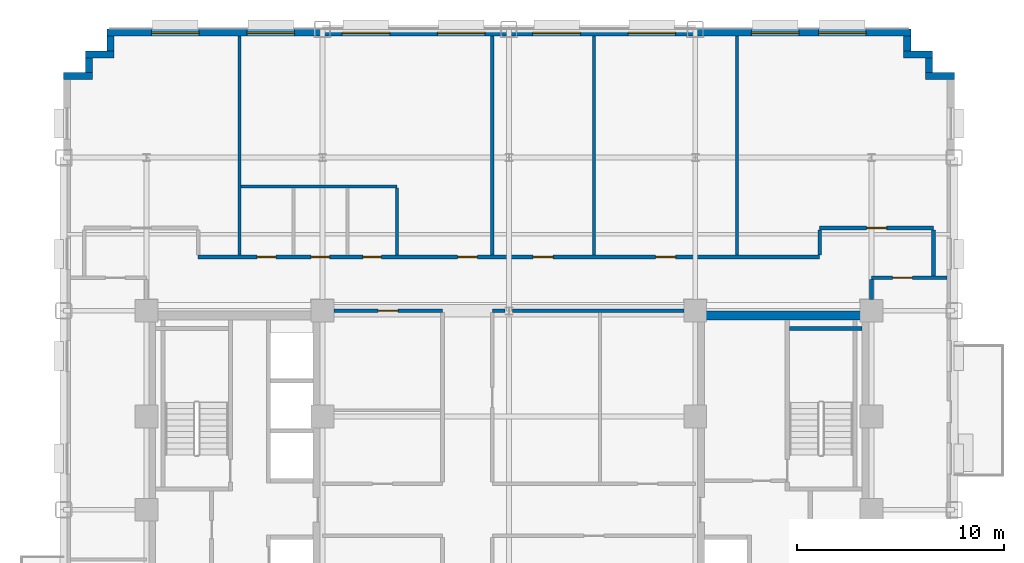
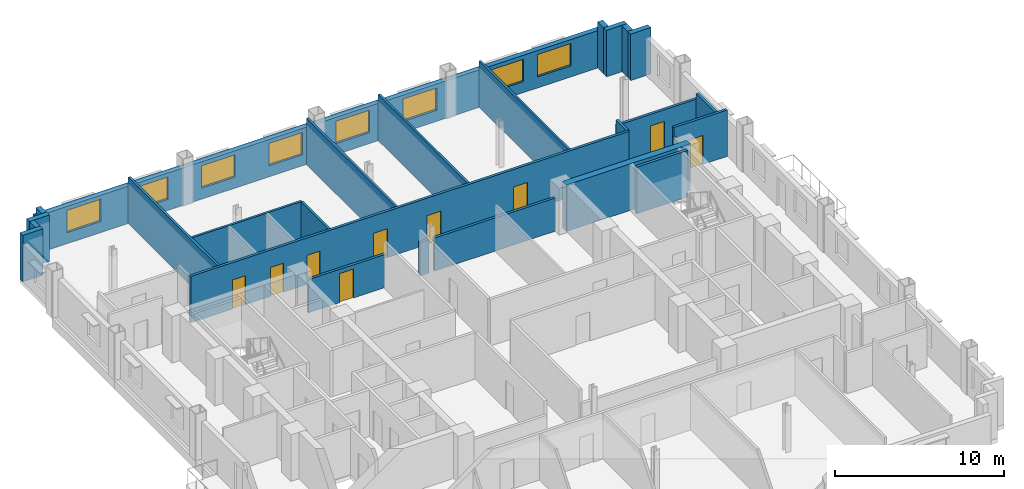
# One storey, part 9 of 14: 26 walls, 9 doors, 8 windows, 17 openings.
"""IFC4 building model written with IfcOpenShell, lengths in metres."""

from ifc_helpers import new_model, si_unit, direction, frame, frame_2d, origin, place, context, subcontext, project, spatial, rectangle, extrude, source, transform, mapped, material, layer, layer_set, type_object, type_shapes, element, fill, save


model = new_model("IFC4")

# Units and contexts
model_context = context("Model", 3, precision=1e-05, world=origin(), true_north=direction((0.0, 1.0)))
body_context = subcontext(model_context, "Body", "Model", "MODEL_VIEW")
ifc_project = project(units=[si_unit("LENGTHUNIT", "METRE"), si_unit("AREAUNIT", "SQUARE_METRE"), si_unit("VOLUMEUNIT", "CUBIC_METRE"), si_unit("PLANEANGLEUNIT", "RADIAN"), si_unit("MASSUNIT", "GRAM", prefix="KILO")], contexts=[model_context])

# Site, building, storey
site_placement = place(None, origin())
site = spatial("IfcSite", under=ifc_project, at=site_placement, CompositionType="ELEMENT")
building_placement = place(site_placement, origin())
building = spatial("IfcBuilding", under=site, at=building_placement, Name="Nuvemarco Arch Tower", CompositionType="ELEMENT")
storey_placement = place(building_placement, frame((0.0, 0.0, 75.050048828125)))
storey = spatial("IfcBuildingStorey", under=building, at=storey_placement, Name="L19", CompositionType="ELEMENT", Elevation=75.050048828125)

# Walls
ifc_material_1 = material(Name="Precast concrete C45/55", Category="concrete")
ifc_layer_1 = layer(ifc_material_1, 0.340087890625, Name="EW-LOW-340")
ifc_layer_set_1 = layer_set([ifc_layer_1], Name="Precast concrete C45/55")
wall_type_1 = type_object("IfcWallType", Name="EW-LOW-340", PredefinedType="STANDARD", material=ifc_layer_set_1)
wall_1_placement = place(storey_placement, frame((20.110107421875, 20.929931640625, 0.0), z_axis=(0.0, 0.0, 1.0), x_axis=(1.0, 0.0, 0.0)))
element("IfcWall", 1, at=wall_1_placement, inside=storey, type_object=wall_type_1, Name="L19 exterior precast facade wall 7", PredefinedType="STANDARD", context=body_context, shape_type="SweptSolid", body=[
    extrude(rectangle(XDim=1.389892578125, YDim=0.340087890625, at=frame_2d((0.69482421875, 0.0))), origin(), (0.0, 0.0, 1.0), 3.35986328125),
])
wall_2_placement = place(storey_placement, frame((20.280029296875, 21.095947265625, 0.0), z_axis=(0.0, 0.0, 1.0), x_axis=(0.0, 1.0, 0.0)))
element("IfcWall", 2, at=wall_2_placement, inside=storey, type_object=wall_type_1, Name="L19 exterior precast facade wall 8", PredefinedType="STANDARD", context=body_context, shape_type="SweptSolid", body=[
    extrude(rectangle(XDim=0.718017578125, YDim=0.340087890625, at=frame_2d((0.35888671875, 0.0))), origin(), (0.0, 0.0, 1.0), 3.35986328125),
])
wall_3_placement = place(storey_placement, frame((19.06005859375, 21.97998046875, 0.0), z_axis=(0.0, 0.0, 1.0), x_axis=(1.0, 0.0, 0.0)))
element("IfcWall", 3, at=wall_3_placement, inside=storey, type_object=wall_type_1, Name="L19 exterior precast facade wall 9", PredefinedType="STANDARD", context=body_context, shape_type="SweptSolid", body=[
    extrude(rectangle(XDim=1.389892578125, YDim=0.340087890625, at=frame_2d((0.69482421875, 0.0))), origin(), (0.0, 0.0, 1.0), 3.35986328125),
])
wall_4_placement = place(storey_placement, frame((19.22998046875, 22.14599609375, 0.0), z_axis=(0.0, 0.0, 1.0), x_axis=(0.0, 1.0, 0.0)))
element("IfcWall", 4, at=wall_4_placement, inside=storey, type_object=wall_type_1, Name="L19 exterior precast facade wall 10", PredefinedType="STANDARD", context=body_context, shape_type="SweptSolid", body=[
    extrude(rectangle(XDim=0.718017578125, YDim=0.340087890625, at=frame_2d((0.35888671875, 0.0))), origin(), (0.0, 0.0, 1.0), 3.35986328125),
])

# Wall, openings, windows
wall_5_placement = place(storey_placement, frame((-19.39990234375, 23.030029296875, 0.0), z_axis=(0.0, 0.0, 1.0), x_axis=(1.0, 0.0, 0.0)))
wall_5 = element("IfcWall", 5, at=wall_5_placement, inside=storey, type_object=wall_type_1, Name="L19 exterior precast facade wall 11", PredefinedType="STANDARD", context=body_context, shape_type="SweptSolid", body=[
    extrude(rectangle(XDim=38.7998046875, YDim=0.340087890625, at=frame_2d((19.39990234375, 0.0))), origin(), (0.0, 0.0, 1.0), 2.704833984375),
])
opening_1_placement = place(wall_5_placement, frame((2.14990234375, 0.0, 0.800048828125)))
opening_1 = element("IfcOpeningElement", 6, at=opening_1_placement, cuts=wall_5, Name="Opening WN-10", PredefinedType="OPENING", context=body_context, shape_type="SweptSolid", body=[
    extrude(rectangle(XDim=2.300048828125, YDim=1.6201171875, at=frame_2d((1.14990234375, 0.81005859375))), frame((0.0, 0.179931640625, 0.0), z_axis=(0.0, -1.0, 0.0), x_axis=(1.0, 0.0, 0.0)), (0.0, 0.0, 1.0), 0.360107421875),
])
opening_2_placement = place(wall_5_placement, frame((6.75, 0.0, 0.800048828125)))
opening_2 = element("IfcOpeningElement", 7, at=opening_2_placement, cuts=wall_5, Name="Opening WN-10", PredefinedType="OPENING", context=body_context, shape_type="SweptSolid", body=[
    extrude(rectangle(XDim=2.300048828125, YDim=1.6201171875, at=frame_2d((1.14990234375, 0.81005859375))), frame((0.0, 0.179931640625, 0.0), z_axis=(0.0, -1.0, 0.0), x_axis=(1.0, 0.0, 0.0)), (0.0, 0.0, 1.0), 0.360107421875),
])
opening_3_placement = place(wall_5_placement, frame((11.35009765625, 0.0, 0.800048828125)))
opening_3 = element("IfcOpeningElement", 8, at=opening_3_placement, cuts=wall_5, Name="Opening WN-10", PredefinedType="OPENING", context=body_context, shape_type="SweptSolid", body=[
    extrude(rectangle(XDim=2.300048828125, YDim=1.6201171875, at=frame_2d((1.14990234375, 0.81005859375))), frame((0.0, 0.179931640625, 0.0), z_axis=(0.0, -1.0, 0.0), x_axis=(1.0, 0.0, 0.0)), (0.0, 0.0, 1.0), 0.360107421875),
])
opening_4_placement = place(wall_5_placement, frame((15.949951171875, 0.0, 0.800048828125)))
opening_4 = element("IfcOpeningElement", 9, at=opening_4_placement, cuts=wall_5, Name="Opening WN-10", PredefinedType="OPENING", context=body_context, shape_type="SweptSolid", body=[
    extrude(rectangle(XDim=2.300048828125, YDim=1.6201171875, at=frame_2d((1.14990234375, 0.81005859375))), frame((0.0, 0.179931640625, 0.0), z_axis=(0.0, -1.0, 0.0), x_axis=(1.0, 0.0, 0.0)), (0.0, 0.0, 1.0), 0.360107421875),
])
opening_5_placement = place(wall_5_placement, frame((20.550048828125, 0.0, 0.800048828125)))
opening_5 = element("IfcOpeningElement", 10, at=opening_5_placement, cuts=wall_5, Name="Opening WN-10", PredefinedType="OPENING", context=body_context, shape_type="SweptSolid", body=[
    extrude(rectangle(XDim=2.300048828125, YDim=1.6201171875, at=frame_2d((1.14990234375, 0.81005859375))), frame((0.0, 0.179931640625, 0.0), z_axis=(0.0, -1.0, 0.0), x_axis=(1.0, 0.0, 0.0)), (0.0, 0.0, 1.0), 0.360107421875),
])
opening_6_placement = place(wall_5_placement, frame((25.14990234375, 0.0, 0.800048828125)))
opening_6 = element("IfcOpeningElement", 11, at=opening_6_placement, cuts=wall_5, Name="Opening WN-10", PredefinedType="OPENING", context=body_context, shape_type="SweptSolid", body=[
    extrude(rectangle(XDim=2.300048828125, YDim=1.6201171875, at=frame_2d((1.14990234375, 0.81005859375))), frame((0.0, 0.179931640625, 0.0), z_axis=(0.0, -1.0, 0.0), x_axis=(1.0, 0.0, 0.0)), (0.0, 0.0, 1.0), 0.360107421875),
])
opening_7_placement = place(wall_5_placement, frame((31.10009765625, 0.0, 0.800048828125)))
opening_7 = element("IfcOpeningElement", 12, at=opening_7_placement, cuts=wall_5, Name="Opening WN-10", PredefinedType="OPENING", context=body_context, shape_type="SweptSolid", body=[
    extrude(rectangle(XDim=2.300048828125, YDim=1.6201171875, at=frame_2d((1.14990234375, 0.81005859375))), frame((0.0, 0.179931640625, 0.0), z_axis=(0.0, -1.0, 0.0), x_axis=(1.0, 0.0, 0.0)), (0.0, 0.0, 1.0), 0.360107421875),
])
opening_8_placement = place(wall_5_placement, frame((34.35009765625, 0.0, 0.800048828125)))
opening_8 = element("IfcOpeningElement", 13, at=opening_8_placement, cuts=wall_5, Name="Opening WN-10", PredefinedType="OPENING", context=body_context, shape_type="SweptSolid", body=[
    extrude(rectangle(XDim=2.300048828125, YDim=1.6201171875, at=frame_2d((1.14990234375, 0.81005859375))), frame((0.0, 0.179931640625, 0.0), z_axis=(0.0, -1.0, 0.0), x_axis=(1.0, 0.0, 0.0)), (0.0, 0.0, 1.0), 0.360107421875),
])
ifc_material_2 = material(Name="Insulated solar-control glass", Category="glass")
window_type = type_object("IfcWindowType", Name="WN-STEP-2300x1700", PartitioningType="DOUBLE_PANEL_VERTICAL", PredefinedType="WINDOW", material=ifc_material_2)
shared_shape_1 = source(origin(), body_context, "Body", "SweptSolid", [
    extrude(rectangle(XDim=2.300048828125, YDim=1.6201171875, at=frame_2d((1.14990234375, 0.81005859375))), frame((0.0, 0.030029296875, 0.0), z_axis=(0.0, -1.0, 0.0), x_axis=(1.0, 0.0, 0.0)), (0.0, 0.0, 1.0), 0.06005859375),
])
type_shapes(window_type, [shared_shape_1])
window_1_placement = place(opening_1_placement, origin())
window_1 = element("IfcWindow", 14, at=window_1_placement, inside=storey, type_object=window_type, Name="L19 punched facade window 1", OverallHeight=1.6201171875, OverallWidth=2.300048828125, PartitioningType="SINGLE_PANEL", PredefinedType="WINDOW", context=body_context, shape_type="MappedRepresentation", body=[
    mapped(shared_shape_1, transform((0.0, 0.0, 0.0), scale=1.0)),
])
fill(opening_1, window_1)
window_2_placement = place(opening_2_placement, origin())
window_2 = element("IfcWindow", 15, at=window_2_placement, inside=storey, type_object=window_type, Name="L19 punched facade window 2", OverallHeight=1.6201171875, OverallWidth=2.300048828125, PartitioningType="SINGLE_PANEL", PredefinedType="WINDOW", context=body_context, shape_type="MappedRepresentation", body=[
    mapped(shared_shape_1, transform((0.0, 0.0, 0.0), scale=1.0)),
])
fill(opening_2, window_2)
window_3_placement = place(opening_3_placement, origin())
window_3 = element("IfcWindow", 16, at=window_3_placement, inside=storey, type_object=window_type, Name="L19 punched facade window 3", OverallHeight=1.6201171875, OverallWidth=2.300048828125, PartitioningType="SINGLE_PANEL", PredefinedType="WINDOW", context=body_context, shape_type="MappedRepresentation", body=[
    mapped(shared_shape_1, transform((0.0, 0.0, 0.0), scale=1.0)),
])
fill(opening_3, window_3)
window_4_placement = place(opening_4_placement, origin())
window_4 = element("IfcWindow", 17, at=window_4_placement, inside=storey, type_object=window_type, Name="L19 punched facade window 4", OverallHeight=1.6201171875, OverallWidth=2.300048828125, PartitioningType="SINGLE_PANEL", PredefinedType="WINDOW", context=body_context, shape_type="MappedRepresentation", body=[
    mapped(shared_shape_1, transform((0.0, 0.0, 0.0), scale=1.0)),
])
fill(opening_4, window_4)
window_5_placement = place(opening_5_placement, origin())
window_5 = element("IfcWindow", 18, at=window_5_placement, inside=storey, type_object=window_type, Name="L19 punched facade window 5", OverallHeight=1.6201171875, OverallWidth=2.300048828125, PartitioningType="SINGLE_PANEL", PredefinedType="WINDOW", context=body_context, shape_type="MappedRepresentation", body=[
    mapped(shared_shape_1, transform((0.0, 0.0, 0.0), scale=1.0)),
])
fill(opening_5, window_5)
window_6_placement = place(opening_6_placement, origin())
window_6 = element("IfcWindow", 19, at=window_6_placement, inside=storey, type_object=window_type, Name="L19 punched facade window 6", OverallHeight=1.6201171875, OverallWidth=2.300048828125, PartitioningType="SINGLE_PANEL", PredefinedType="WINDOW", context=body_context, shape_type="MappedRepresentation", body=[
    mapped(shared_shape_1, transform((0.0, 0.0, 0.0), scale=1.0)),
])
fill(opening_6, window_6)
window_7_placement = place(opening_7_placement, origin())
window_7 = element("IfcWindow", 20, at=window_7_placement, inside=storey, type_object=window_type, Name="L19 punched facade window 7", OverallHeight=1.6201171875, OverallWidth=2.300048828125, PartitioningType="SINGLE_PANEL", PredefinedType="WINDOW", context=body_context, shape_type="MappedRepresentation", body=[
    mapped(shared_shape_1, transform((0.0, 0.0, 0.0), scale=1.0)),
])
fill(opening_7, window_7)
window_8_placement = place(opening_8_placement, origin())
window_8 = element("IfcWindow", 21, at=window_8_placement, inside=storey, type_object=window_type, Name="L19 punched facade window 8", OverallHeight=1.6201171875, OverallWidth=2.300048828125, PartitioningType="SINGLE_PANEL", PredefinedType="WINDOW", context=body_context, shape_type="MappedRepresentation", body=[
    mapped(shared_shape_1, transform((0.0, 0.0, 0.0), scale=1.0)),
])
fill(opening_8, window_8)

# Walls
wall_6_placement = place(storey_placement, frame((-19.22998046875, 22.14599609375, 0.0), z_axis=(0.0, 0.0, 1.0), x_axis=(0.0, 1.0, 0.0)))
element("IfcWall", 22, at=wall_6_placement, inside=storey, type_object=wall_type_1, Name="L19 exterior precast facade wall 12", PredefinedType="STANDARD", context=body_context, shape_type="SweptSolid", body=[
    extrude(rectangle(XDim=0.718017578125, YDim=0.340087890625, at=frame_2d((0.35888671875, 0.0))), origin(), (0.0, 0.0, 1.0), 3.35986328125),
])
wall_7_placement = place(storey_placement, frame((-20.449951171875, 21.97998046875, 0.0), z_axis=(0.0, 0.0, 1.0), x_axis=(1.0, 0.0, 0.0)))
element("IfcWall", 23, at=wall_7_placement, inside=storey, type_object=wall_type_1, Name="L19 exterior precast facade wall 13", PredefinedType="STANDARD", context=body_context, shape_type="SweptSolid", body=[
    extrude(rectangle(XDim=1.389892578125, YDim=0.340087890625, at=frame_2d((0.69482421875, 0.0))), origin(), (0.0, 0.0, 1.0), 3.35986328125),
])
wall_8_placement = place(storey_placement, frame((-20.280029296875, 21.095947265625, 0.0), z_axis=(0.0, 0.0, 1.0), x_axis=(0.0, 1.0, 0.0)))
element("IfcWall", 24, at=wall_8_placement, inside=storey, type_object=wall_type_1, Name="L19 exterior precast facade wall 14", PredefinedType="STANDARD", context=body_context, shape_type="SweptSolid", body=[
    extrude(rectangle(XDim=0.718017578125, YDim=0.340087890625, at=frame_2d((0.35888671875, 0.0))), origin(), (0.0, 0.0, 1.0), 3.35986328125),
])
wall_9_placement = place(storey_placement, frame((-21.5, 20.929931640625, 0.0), z_axis=(0.0, 0.0, 1.0), x_axis=(1.0, 0.0, 0.0)))
element("IfcWall", 25, at=wall_9_placement, inside=storey, type_object=wall_type_1, Name="L19 exterior precast facade wall 15", PredefinedType="STANDARD", context=body_context, shape_type="SweptSolid", body=[
    extrude(rectangle(XDim=1.389892578125, YDim=0.340087890625, at=frame_2d((0.69482421875, 0.0))), origin(), (0.0, 0.0, 1.0), 3.35986328125),
])
ifc_material_3 = material(Name="Concrete C60/75", Category="concrete")
ifc_layer_2 = layer(ifc_material_3, 0.449951171875, Name="WL-CORE-450")
ifc_layer_set_2 = layer_set([ifc_layer_2], Name="Concrete C60/75")
wall_type_2 = type_object("IfcWallType", Name="WL-CORE-450", PredefinedType="SHEAR", material=ifc_layer_set_2)
wall_10_placement = place(storey_placement, frame((9.0, 9.375, 0.0), z_axis=(0.0, 0.0, 1.0), x_axis=(1.0, 0.0, 0.0)))
element("IfcWall", 26, at=wall_10_placement, inside=storey, type_object=wall_type_2, Name="L19 E-core shear wall N", PredefinedType="SHEAR", context=body_context, shape_type="SweptSolid", body=[
    extrude(rectangle(XDim=8.5, YDim=0.449951171875, at=frame_2d((4.25, 0.0))), origin(), (0.0, 0.0, 1.0), 3.369873046875),
])

# Wall, opening, door
ifc_material_4 = material(Name="Fire-rated gypsum drywall partition")
ifc_layer_3 = layer(ifc_material_4, 0.179931640625, Name="WL-CORR-180")
ifc_layer_set_3 = layer_set([ifc_layer_3], Name="Fire-rated gypsum drywall partition")
wall_type_3 = type_object("IfcWallType", Name="WL-CORR-180", PredefinedType="PARTITIONING", material=ifc_layer_set_3)
wall_11_placement = place(storey_placement, frame((-8.4541015625, 9.60009765625, 0.0), z_axis=(0.0, 0.0, 1.0), x_axis=(1.0, 0.0, 0.0)))
wall_11 = element("IfcWall", 27, at=wall_11_placement, inside=storey, type_object=wall_type_3, Name="L19 interior wall IW-L19-015", PredefinedType="PARTITIONING", context=body_context, shape_type="SweptSolid", body=[
    extrude(rectangle(XDim=5.254150390625, YDim=0.179931640625, at=frame_2d((2.626953125, 0.0))), origin(), (0.0, 0.0, 1.0), 2.405029296875),
])
opening_9_placement = place(wall_11_placement, frame((2.14697265625, 0.0, 0.0)))
opening_9 = element("IfcOpeningElement", 28, at=opening_9_placement, cuts=wall_11, Name="Opening FD-5", PredefinedType="OPENING", context=body_context, shape_type="SweptSolid", body=[
    extrude(rectangle(XDim=0.9599609375, YDim=2.10009765625, at=frame_2d((0.47998046875, 1.050048828125))), frame((0.0, 0.099853515625, 0.0), z_axis=(0.0, -1.0, 0.0), x_axis=(1.0, 0.0, 0.0)), (0.0, 0.0, 1.0), 0.199951171875),
])
ifc_material_5 = material(Name="Timber fire door", Category="wood")
door_type_1 = type_object("IfcDoorType", Name="DR-CORR-FD", OperationType="NOTDEFINED", PredefinedType="DOOR", material=ifc_material_5)
shared_shape_2 = source(origin(), body_context, "Body", "SweptSolid", [
    extrude(rectangle(XDim=0.9599609375, YDim=2.10009765625, at=frame_2d((0.47998046875, 1.050048828125))), frame((0.0, 0.02490234375, 0.0), z_axis=(0.0, -1.0, 0.0), x_axis=(1.0, 0.0, 0.0)), (0.0, 0.0, 1.0), 0.050048828125),
])
type_shapes(door_type_1, [shared_shape_2])
door_1_placement = place(opening_9_placement, origin())
door_1 = element("IfcDoor", 29, at=door_1_placement, inside=storey, type_object=door_type_1, Name="L19 door DR-L19-C_NW2", OperationType="SINGLE_SWING_LEFT", OverallHeight=2.10009765625, OverallWidth=0.9599609375, PredefinedType="DOOR", context=body_context, shape_type="MappedRepresentation", body=[
    mapped(shared_shape_2, transform((0.0, 0.0, 0.0), scale=1.0)),
])
fill(opening_9, door_1)

# Walls
wall_12_placement = place(storey_placement, frame((-0.800048828125, 9.60009765625, 0.0), z_axis=(0.0, 0.0, 1.0), x_axis=(1.0, 0.0, 0.0)))
element("IfcWall", 30, at=wall_12_placement, inside=storey, type_object=wall_type_3, Name="L19 interior wall IW-L19-016", PredefinedType="PARTITIONING", context=body_context, shape_type="SweptSolid", body=[
    extrude(rectangle(XDim=0.6240234375, YDim=0.179931640625, at=frame_2d((0.31201171875, 0.0))), origin(), (0.0, 0.0, 1.0), 2.405029296875),
])
wall_13_placement = place(storey_placement, frame((0.176025390625, 9.60009765625, 0.0), z_axis=(0.0, 0.0, 1.0), x_axis=(1.0, 0.0, 0.0)))
element("IfcWall", 31, at=wall_13_placement, inside=storey, type_object=wall_type_3, Name="L19 interior wall IW-L19-017", PredefinedType="PARTITIONING", context=body_context, shape_type="SweptSolid", body=[
    extrude(rectangle(XDim=8.278076171875, YDim=0.179931640625, at=frame_2d((4.13916015625, 0.0))), origin(), (0.0, 0.0, 1.0), 2.405029296875),
])

# Wall, opening, door
wall_14_placement = place(storey_placement, frame((17.5, 11.199951171875, 0.0), z_axis=(0.0, 0.0, 1.0), x_axis=(1.0, 0.0, 0.0)))
wall_14 = element("IfcWall", 32, at=wall_14_placement, inside=storey, type_object=wall_type_3, Name="L19 interior wall IW-L19-019", PredefinedType="PARTITIONING", context=body_context, shape_type="SweptSolid", body=[
    extrude(rectangle(XDim=3.659912109375, YDim=0.179931640625, at=frame_2d((1.830078125, 0.0))), origin(), (0.0, 0.0, 1.0), 3.35986328125),
])
opening_10_placement = place(wall_14_placement, frame((1.02001953125, 0.0, 0.0)))
opening_10 = element("IfcOpeningElement", 33, at=opening_10_placement, cuts=wall_14, Name="Opening FD-5", PredefinedType="OPENING", context=body_context, shape_type="SweptSolid", body=[
    extrude(rectangle(XDim=0.9599609375, YDim=2.10009765625, at=frame_2d((0.47998046875, 1.050048828125))), frame((0.0, 0.099853515625, 0.0), z_axis=(0.0, -1.0, 0.0), x_axis=(1.0, 0.0, 0.0)), (0.0, 0.0, 1.0), 0.199951171875),
])
door_2_placement = place(opening_10_placement, origin())
door_2 = element("IfcDoor", 34, at=door_2_placement, inside=storey, type_object=door_type_1, Name="L19 door DR-L19-E_1", OperationType="SINGLE_SWING_LEFT", OverallHeight=2.10009765625, OverallWidth=0.9599609375, PredefinedType="DOOR", context=body_context, shape_type="MappedRepresentation", body=[
    mapped(shared_shape_2, transform((0.0, 0.0, 0.0), scale=1.0)),
])
fill(opening_10, door_2)

# Wall, openings, doors
wall_15_placement = place(storey_placement, frame((-15.0, 12.199951171875, 0.0), z_axis=(0.0, 0.0, 1.0), x_axis=(1.0, 0.0, 0.0)))
wall_15 = element("IfcWall", 35, at=wall_15_placement, inside=storey, type_object=wall_type_3, Name="L19 interior wall IW-L19-020", PredefinedType="PARTITIONING", context=body_context, shape_type="SweptSolid", body=[
    extrude(rectangle(XDim=30.0, YDim=0.179931640625, at=frame_2d((15.0, 0.0))), origin(), (0.0, 0.0, 1.0), 3.35986328125),
])
opening_11_placement = place(wall_15_placement, frame((22.0849609375, 0.0, 0.0)))
opening_11 = element("IfcOpeningElement", 36, at=opening_11_placement, cuts=wall_15, Name="Opening FD-5", PredefinedType="OPENING", context=body_context, shape_type="SweptSolid", body=[
    extrude(rectangle(XDim=0.9599609375, YDim=2.10009765625, at=frame_2d((0.47998046875, 1.050048828125))), frame((0.0, 0.099853515625, 0.0), z_axis=(0.0, -1.0, 0.0), x_axis=(1.0, 0.0, 0.0)), (0.0, 0.0, 1.0), 0.199951171875),
])
opening_12_placement = place(wall_15_placement, frame((16.175048828125, 0.0, 0.0)))
opening_12 = element("IfcOpeningElement", 37, at=opening_12_placement, cuts=wall_15, Name="Opening FD-5", PredefinedType="OPENING", context=body_context, shape_type="SweptSolid", body=[
    extrude(rectangle(XDim=0.9599609375, YDim=2.10009765625, at=frame_2d((0.47998046875, 1.050048828125))), frame((0.0, 0.099853515625, 0.0), z_axis=(0.0, -1.0, 0.0), x_axis=(1.0, 0.0, 0.0)), (0.0, 0.0, 1.0), 0.199951171875),
])
opening_13_placement = place(wall_15_placement, frame((5.449951171875, 0.0, 0.0)))
opening_13 = element("IfcOpeningElement", 38, at=opening_13_placement, cuts=wall_15, Name="Opening ID-3", PredefinedType="OPENING", context=body_context, shape_type="SweptSolid", body=[
    extrude(rectangle(XDim=0.89990234375, YDim=2.10009765625, at=frame_2d((0.449951171875, 1.050048828125))), frame((0.0, 0.099853515625, 0.0), z_axis=(0.0, -1.0, 0.0), x_axis=(1.0, 0.0, 0.0)), (0.0, 0.0, 1.0), 0.199951171875),
])
opening_14_placement = place(wall_15_placement, frame((2.85009765625, 0.0, 0.0)))
opening_14 = element("IfcOpeningElement", 39, at=opening_14_placement, cuts=wall_15, Name="Opening ID-3", PredefinedType="OPENING", context=body_context, shape_type="SweptSolid", body=[
    extrude(rectangle(XDim=0.89990234375, YDim=2.10009765625, at=frame_2d((0.449951171875, 1.050048828125))), frame((0.0, 0.099853515625, 0.0), z_axis=(0.0, -1.0, 0.0), x_axis=(1.0, 0.0, 0.0)), (0.0, 0.0, 1.0), 0.199951171875),
])
opening_15_placement = place(wall_15_placement, frame((12.52001953125, 0.0, 0.0)))
opening_15 = element("IfcOpeningElement", 40, at=opening_15_placement, cuts=wall_15, Name="Opening FD-5", PredefinedType="OPENING", context=body_context, shape_type="SweptSolid", body=[
    extrude(rectangle(XDim=0.9599609375, YDim=2.10009765625, at=frame_2d((0.47998046875, 1.050048828125))), frame((0.0, 0.099853515625, 0.0), z_axis=(0.0, -1.0, 0.0), x_axis=(1.0, 0.0, 0.0)), (0.0, 0.0, 1.0), 0.199951171875),
])
opening_16_placement = place(wall_15_placement, frame((7.949951171875, 0.0, 0.0)))
opening_16 = element("IfcOpeningElement", 41, at=opening_16_placement, cuts=wall_15, Name="Opening ID-3", PredefinedType="OPENING", context=body_context, shape_type="SweptSolid", body=[
    extrude(rectangle(XDim=0.89990234375, YDim=2.10009765625, at=frame_2d((0.449951171875, 1.050048828125))), frame((0.0, 0.099853515625, 0.0), z_axis=(0.0, -1.0, 0.0), x_axis=(1.0, 0.0, 0.0)), (0.0, 0.0, 1.0), 0.199951171875),
])
door_3_placement = place(opening_11_placement, origin())
door_3 = element("IfcDoor", 42, at=door_3_placement, inside=storey, type_object=door_type_1, Name="L19 door DR-L19-N_4", OperationType="SINGLE_SWING_LEFT", OverallHeight=2.10009765625, OverallWidth=0.9599609375, PredefinedType="DOOR", context=body_context, shape_type="MappedRepresentation", body=[
    mapped(shared_shape_2, transform((0.0, 0.0, 0.0), scale=1.0)),
])
fill(opening_11, door_3)
door_4_placement = place(opening_12_placement, origin())
door_4 = element("IfcDoor", 43, at=door_4_placement, inside=storey, type_object=door_type_1, Name="L19 door DR-L19-N_3", OperationType="SINGLE_SWING_RIGHT", OverallHeight=2.10009765625, OverallWidth=0.9599609375, PredefinedType="DOOR", context=body_context, shape_type="MappedRepresentation", body=[
    mapped(shared_shape_2, transform((0.0, 0.0, 0.0), scale=1.0)),
])
fill(opening_12, door_4)
door_5_placement = place(opening_15_placement, origin())
door_5 = element("IfcDoor", 44, at=door_5_placement, inside=storey, type_object=door_type_1, Name="L19 door DR-L19-N_2", OperationType="SINGLE_SWING_LEFT", OverallHeight=2.10009765625, OverallWidth=0.9599609375, PredefinedType="DOOR", context=body_context, shape_type="MappedRepresentation", body=[
    mapped(shared_shape_2, transform((0.0, 0.0, 0.0), scale=1.0)),
])
fill(opening_15, door_5)
ifc_material_6 = material(Name="Veneered oak timber fire door", Category="wood")
door_type_2 = type_object("IfcDoorType", Name="DR-WC-ACC", OperationType="NOTDEFINED", PredefinedType="DOOR", material=ifc_material_6)
shared_shape_3 = source(origin(), body_context, "Body", "SweptSolid", [
    extrude(rectangle(XDim=0.89990234375, YDim=2.10009765625, at=frame_2d((0.449951171875, 1.050048828125))), frame((0.0, 0.02490234375, 0.0), z_axis=(0.0, -1.0, 0.0), x_axis=(1.0, 0.0, 0.0)), (0.0, 0.0, 1.0), 0.050048828125),
])
type_shapes(door_type_2, [shared_shape_3])
door_6_placement = place(opening_13_placement, origin())
door_6 = element("IfcDoor", 45, at=door_6_placement, inside=storey, type_object=door_type_2, Name="L19 door DR-L19-WC_F", OperationType="SINGLE_SWING_LEFT", OverallHeight=2.10009765625, OverallWidth=0.89990234375, PredefinedType="DOOR", context=body_context, shape_type="MappedRepresentation", body=[
    mapped(shared_shape_3, transform((0.0, 0.0, 0.0), scale=1.0)),
])
fill(opening_13, door_6)
door_7_placement = place(opening_14_placement, origin())
door_7 = element("IfcDoor", 46, at=door_7_placement, inside=storey, type_object=door_type_2, Name="L19 door DR-L19-WC_M", OperationType="SINGLE_SWING_RIGHT", OverallHeight=2.10009765625, OverallWidth=0.89990234375, PredefinedType="DOOR", context=body_context, shape_type="MappedRepresentation", body=[
    mapped(shared_shape_3, transform((0.0, 0.0, 0.0), scale=1.0)),
])
fill(opening_14, door_7)
door_8_placement = place(opening_16_placement, origin())
door_8 = element("IfcDoor", 47, at=door_8_placement, inside=storey, type_object=door_type_2, Name="L19 door DR-L19-WC_ACC", OperationType="SINGLE_SWING_LEFT", OverallHeight=2.10009765625, OverallWidth=0.89990234375, PredefinedType="DOOR", context=body_context, shape_type="MappedRepresentation", body=[
    mapped(shared_shape_3, transform((0.0, 0.0, 0.0), scale=1.0)),
])
fill(opening_16, door_8)

# Wall, opening, door
wall_16_placement = place(storey_placement, frame((15.0, 13.60009765625, 0.0), z_axis=(0.0, 0.0, 1.0), x_axis=(1.0, 0.0, 0.0)))
wall_16 = element("IfcWall", 48, at=wall_16_placement, inside=storey, type_object=wall_type_3, Name="L19 interior wall IW-L19-022", PredefinedType="PARTITIONING", context=body_context, shape_type="SweptSolid", body=[
    extrude(rectangle(XDim=5.5, YDim=0.179931640625, at=frame_2d((2.75, 0.0))), origin(), (0.0, 0.0, 1.0), 2.94189453125),
])
opening_17_placement = place(wall_16_placement, frame((2.27001953125, 0.0, 0.0)))
opening_17 = element("IfcOpeningElement", 49, at=opening_17_placement, cuts=wall_16, Name="Opening FD-5", PredefinedType="OPENING", context=body_context, shape_type="SweptSolid", body=[
    extrude(rectangle(XDim=0.9599609375, YDim=2.10009765625, at=frame_2d((0.47998046875, 1.050048828125))), frame((0.0, 0.099853515625, 0.0), z_axis=(0.0, -1.0, 0.0), x_axis=(1.0, 0.0, 0.0)), (0.0, 0.0, 1.0), 0.199951171875),
])
door_9_placement = place(opening_17_placement, origin())
door_9 = element("IfcDoor", 50, at=door_9_placement, inside=storey, type_object=door_type_1, Name="L19 door DR-L19-N_5", OperationType="SINGLE_SWING_LEFT", OverallHeight=2.10009765625, OverallWidth=0.9599609375, PredefinedType="DOOR", context=body_context, shape_type="MappedRepresentation", body=[
    mapped(shared_shape_2, transform((0.0, 0.0, 0.0), scale=1.0)),
])
fill(opening_17, door_9)

# Walls
wall_17_placement = place(storey_placement, frame((15.0, 12.285888671875, 0.0), z_axis=(0.0, 0.0, 1.0), x_axis=(0.0, 1.0, 0.0)))
element("IfcWall", 51, at=wall_17_placement, inside=storey, type_object=wall_type_3, Name="L19 interior wall IW-L19-049", PredefinedType="PARTITIONING", context=body_context, shape_type="SweptSolid", body=[
    extrude(rectangle(XDim=1.22802734375, YDim=0.179931640625, at=frame_2d((0.614013671875, 0.0))), origin(), (0.0, 0.0, 1.0), 3.35986328125),
])
wall_18_placement = place(storey_placement, frame((17.5, 10.14599609375, 0.0), z_axis=(0.0, 0.0, 1.0), x_axis=(0.0, 1.0, 0.0)))
element("IfcWall", 52, at=wall_18_placement, inside=storey, type_object=wall_type_3, Name="L19 interior wall IW-L19-052", PredefinedType="PARTITIONING", context=body_context, shape_type="SweptSolid", body=[
    extrude(rectangle(XDim=0.968017578125, YDim=0.179931640625, at=frame_2d((0.48388671875, 0.0))), origin(), (0.0, 0.0, 1.0), 2.738037109375),
])
wall_19_placement = place(storey_placement, frame((20.5, 11.285888671875, 0.0), z_axis=(0.0, 0.0, 1.0), x_axis=(0.0, 1.0, 0.0)))
element("IfcWall", 53, at=wall_19_placement, inside=storey, type_object=wall_type_3, Name="L19 interior wall IW-L19-054", PredefinedType="PARTITIONING", context=body_context, shape_type="SweptSolid", body=[
    extrude(rectangle(XDim=2.22802734375, YDim=0.179931640625, at=frame_2d((1.114013671875, 0.0))), origin(), (0.0, 0.0, 1.0), 3.35986328125),
])
ifc_material_7 = material(Name="Gypsum plasterboard partition")
ifc_layer_4 = layer(ifc_material_7, 0.139892578125, Name="WL-ROOM-140")
ifc_layer_set_4 = layer_set([ifc_layer_4], Name="Gypsum plasterboard partition")
wall_type_4 = type_object("IfcWallType", Name="WL-ROOM-140", PredefinedType="PARTITIONING", material=ifc_layer_set_4)
for number, where, z_axis, x_axis, name in (
    (54, (4.110107421875, 12.285888671875, 0.0), (0.0, 0.0, 1.0), (0.0, 1.0, 0.0), "L19 interior wall IW-L19-043"),
    (55, (11.02001953125, 12.285888671875, 0.0), (0.0, 0.0, 1.0), (0.0, 1.0, 0.0), "L19 interior wall IW-L19-046"),
):
    element("IfcWall", number, at=place(storey_placement, frame(where, z_axis=z_axis, x_axis=x_axis)), inside=storey, type_object=wall_type_4, Name=name, PredefinedType="PARTITIONING", context=body_context, shape_type="SweptSolid", body=[
        extrude(rectangle(XDim=10.57421875, YDim=0.139892578125, at=frame_2d((5.287109375, 0.0))), origin(), (0.0, 0.0, 1.0), 3.35986328125),
    ])
ifc_material_8 = material(Name="Concrete C50/60", Category="concrete")
ifc_layer_5 = layer(ifc_material_8, 0.199951171875, Name="WL-SHAFT-220")
ifc_layer_set_5 = layer_set([ifc_layer_5], Name="Concrete C50/60")
wall_type_5 = type_object("IfcWallType", Name="WL-SHAFT-220", PredefinedType="SHEAR", material=ifc_layer_set_5)
wall_20_placement = place(storey_placement, frame((13.534912109375, 8.75, 0.0), z_axis=(0.0, 0.0, 1.0), x_axis=(1.0, 0.0, 0.0)))
element("IfcWall", 56, at=wall_20_placement, inside=storey, type_object=wall_type_5, Name="L19 structural shaft wall SW-L19-E-ST2N", PredefinedType="SHEAR", context=body_context, shape_type="SweptSolid", body=[
    extrude(rectangle(XDim=3.52001953125, YDim=0.199951171875, at=frame_2d((1.760009765625, 0.0))), origin(), (0.0, 0.0, 1.0), 3.369873046875),
])
ifc_material_9 = material(Name="Acoustic gypsum drywall partition")
ifc_layer_6 = layer(ifc_material_9, 0.159912109375, Name="WL-TENANT-160")
ifc_layer_set_6 = layer_set([ifc_layer_6], Name="Acoustic gypsum drywall partition")
wall_type_6 = type_object("IfcWallType", Name="WL-TENANT-160", PredefinedType="PARTITIONING", material=ifc_layer_set_6)
for number, where, z_axis, x_axis, name in (
    (57, (-13.0, 12.285888671875, 0.0), (0.0, 0.0, 1.0), (0.0, 1.0, 0.0), "L19 interior wall IW-L19-031"),
    (58, (-0.800048828125, 12.285888671875, 0.0), (0.0, 0.0, 1.0), (0.0, 1.0, 0.0), "L19 interior wall IW-L19-042"),
):
    element("IfcWall", number, at=place(storey_placement, frame(where, z_axis=z_axis, x_axis=x_axis)), inside=storey, type_object=wall_type_6, Name=name, PredefinedType="PARTITIONING", context=body_context, shape_type="SweptSolid", body=[
        extrude(rectangle(XDim=10.57421875, YDim=0.159912109375, at=frame_2d((5.287109375, 0.0))), origin(), (0.0, 0.0, 1.0), 3.35986328125),
    ])
ifc_material_10 = material(Name="Moisture-resistant gypsum partition")
ifc_layer_7 = layer(ifc_material_10, 0.14990234375, Name="WL-WET-150")
ifc_layer_set_7 = layer_set([ifc_layer_7], Name="Moisture-resistant gypsum partition")
wall_type_7 = type_object("IfcWallType", Name="WL-WET-150", PredefinedType="PARTITIONING", material=ifc_layer_set_7)
wall_21_placement = place(storey_placement, frame((-12.928955078125, 15.60009765625, 0.0), z_axis=(0.0, 0.0, 1.0), x_axis=(1.0, 0.0, 0.0)))
element("IfcWall", 59, at=wall_21_placement, inside=storey, type_object=wall_type_7, Name="L19 interior wall IW-L19-023", PredefinedType="PARTITIONING", context=body_context, shape_type="SweptSolid", body=[
    extrude(rectangle(XDim=7.529052734375, YDim=0.14990234375, at=frame_2d((3.7646484375, 0.0))), origin(), (0.0, 0.0, 1.0), 3.35986328125),
])
wall_22_placement = place(storey_placement, frame((-5.39990234375, 12.285888671875, 0.0), z_axis=(0.0, 0.0, 1.0), x_axis=(0.0, 1.0, 0.0)))
element("IfcWall", 60, at=wall_22_placement, inside=storey, type_object=wall_type_7, Name="L19 interior wall IW-L19-035", PredefinedType="PARTITIONING", context=body_context, shape_type="SweptSolid", body=[
    extrude(rectangle(XDim=3.2431640625, YDim=0.14990234375, at=frame_2d((1.62158203125, 0.0))), origin(), (0.0, 0.0, 1.0), 3.35986328125),
])

save(model, "model.ifc")
